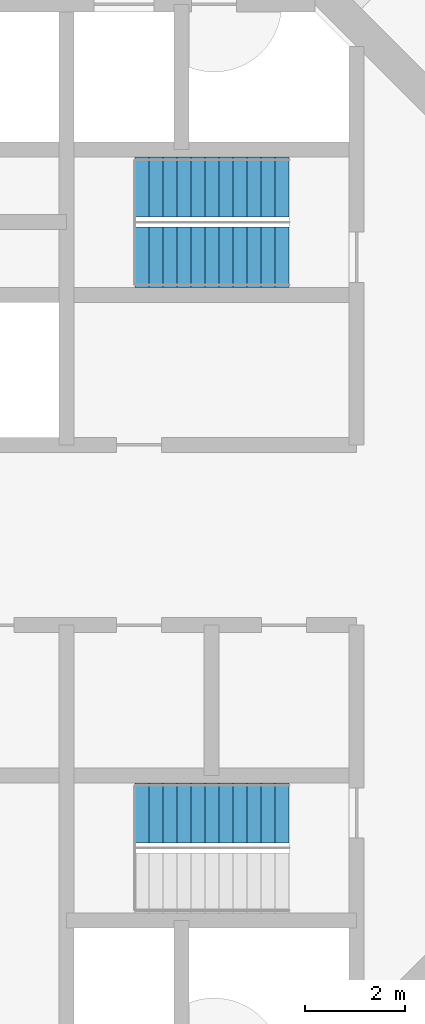
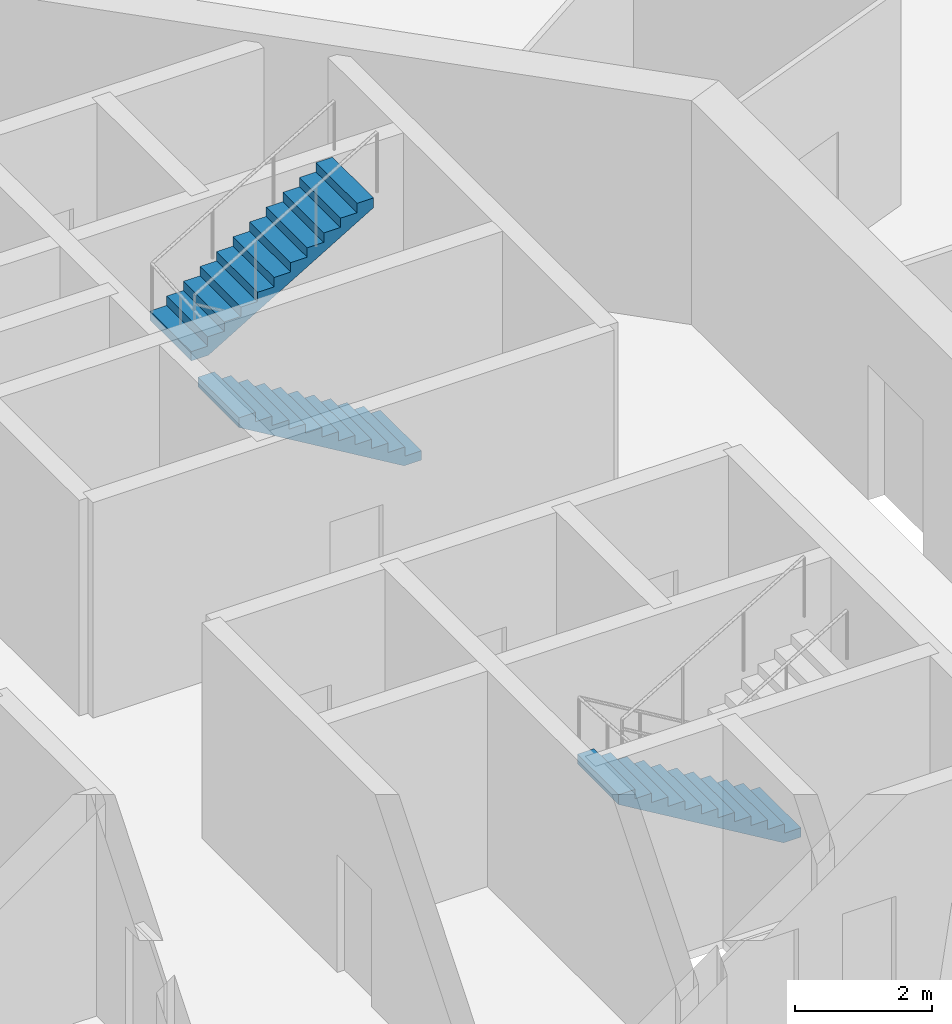
# One storey, part 6 of 13: 3 stair flights, 2 elements without a shape of their own.
"""IFC4 building model written with IfcOpenShell, lengths in metres."""

from ifc_helpers import new_model, si_unit, direction, frame, origin, place, context, subcontext, project, spatial, polyline, outline, extrude, material, type_object, element, aggregate, save


model = new_model("IFC4")

# Units and contexts
model_context = context("Model", 3, precision=1e-05, world=origin(), true_north=direction((0.0, 1.0)))
body_context = subcontext(model_context, "Body", "Model", "MODEL_VIEW")
ifc_project = project(units=[si_unit("LENGTHUNIT", "METRE"), si_unit("AREAUNIT", "SQUARE_METRE"), si_unit("VOLUMEUNIT", "CUBIC_METRE"), si_unit("PLANEANGLEUNIT", "RADIAN"), si_unit("MASSUNIT", "GRAM", prefix="KILO")], contexts=[model_context])

# Site, building, storey
site_placement = place(None, origin())
site = spatial("IfcSite", under=ifc_project, at=site_placement, CompositionType="ELEMENT")
building_placement = place(site_placement, origin())
building = spatial("IfcBuilding", under=site, at=building_placement, Name="Entoto Ring Tower", CompositionType="ELEMENT")
storey_placement = place(building_placement, frame((0.0, 0.0, 380.0)))
storey = spatial("IfcBuildingStorey", under=building, at=storey_placement, Name="L88", CompositionType="ELEMENT", Elevation=380.0)

# Stair, stair flights
ifc_material_1 = material(Name="Concrete C40/50", Category="concrete")
stair_type = type_object("IfcStairType", Name="Exit stair 1200 mm dog-leg reinforced concrete", PredefinedType="HALF_TURN_STAIR", material=ifc_material_1)
stair_1_placement = place(storey_placement, origin())
stair_1 = element("IfcStair", 1, at=stair_1_placement, inside=storey, type_object=stair_type, Name="Exit stair 1", PredefinedType="HALF_TURN_STAIR")
ifc_material_2 = material(Name="Concrete C40/50", Category="concrete")
stair_flight_type = type_object("IfcStairFlightType", Name="Stair flight 1200 mm reinforced concrete", PredefinedType="STRAIGHT", material=ifc_material_2)
stair_flight_1_placement = place(storey_placement, frame((99.25, 85.550048828125, 0.0), z_axis=(0.0, 0.0, 1.0), x_axis=(-1.0, 0.0, 0.0)))
stair_flight_1 = element("IfcStairFlight", 2, at=stair_flight_1_placement, type_object=stair_flight_type, Name="ST1 flight 1", NumberOfRisers=12, NumberOfTreads=11, PredefinedType="STRAIGHT", RiserHeight=0.166666667, TreadLength=0.28, context=body_context, shape_type="SweptSolid", body=[
    extrude(outline(polyline([(0.0, 0.0), (0.0, 0.166748046875), (0.280029296875, 0.166748046875), (0.280029296875, 0.333251953125), (0.56005859375, 0.333251953125), (0.56005859375, 0.5), (0.840087890625, 0.5), (0.840087890625, 0.666748046875), (1.1201171875, 0.666748046875), (1.1201171875, 0.833251953125), (1.39990234375, 0.833251953125), (1.39990234375, 1.0), (1.679931640625, 1.0), (1.679931640625, 1.166748046875), (1.9599609375, 1.166748046875), (1.9599609375, 1.333251953125), (2.239990234375, 1.333251953125), (2.239990234375, 1.5), (2.52001953125, 1.5), (2.52001953125, 1.666748046875), (2.800048828125, 1.666748046875), (2.800048828125, 1.833251953125), (3.080078125, 1.833251953125), (3.080078125, 2.0), (3.080078125, 1.658935546875), (0.29296875, 0.0), (0.0, 0.0)])), frame((0.0, 0.60009765625, 0.0), z_axis=(0.0, -1.0, 0.0), x_axis=(1.0, 0.0, 0.0)), (0.0, 0.0, 1.0), 1.199951171875),
])
stair_flight_2_placement = place(storey_placement, frame((96.169921875, 86.949951171875, 2.0), z_axis=(0.0, 0.0, 1.0), x_axis=(1.0, 0.0, 0.0)))
stair_flight_2 = element("IfcStairFlight", 3, at=stair_flight_2_placement, type_object=stair_flight_type, Name="ST1 flight 2", NumberOfRisers=12, NumberOfTreads=11, PredefinedType="STRAIGHT", RiserHeight=0.166666667, TreadLength=0.28, context=body_context, shape_type="SweptSolid", body=[
    extrude(outline(polyline([(0.0, 0.0), (0.0, 0.166748046875), (0.280029296875, 0.166748046875), (0.280029296875, 0.333251953125), (0.56005859375, 0.333251953125), (0.56005859375, 0.5), (0.840087890625, 0.5), (0.840087890625, 0.666748046875), (1.1201171875, 0.666748046875), (1.1201171875, 0.833251953125), (1.39990234375, 0.833251953125), (1.39990234375, 1.0), (1.679931640625, 1.0), (1.679931640625, 1.166748046875), (1.9599609375, 1.166748046875), (1.9599609375, 1.333251953125), (2.239990234375, 1.333251953125), (2.239990234375, 1.5), (2.52001953125, 1.5), (2.52001953125, 1.666748046875), (2.800048828125, 1.666748046875), (2.800048828125, 1.833251953125), (3.080078125, 1.833251953125), (3.080078125, 2.0), (3.080078125, 1.658935546875), (0.29296875, 0.0), (0.0, 0.0)])), frame((0.0, 0.60009765625, 0.0), z_axis=(0.0, -1.0, 0.0), x_axis=(1.0, 0.0, 0.0)), (0.0, 0.0, 1.0), 1.199951171875),
])
aggregate(stair_1, [stair_flight_1, stair_flight_2])

# Stair, stair flight
stair_2_placement = place(storey_placement, origin())
stair_2 = element("IfcStair", 4, at=stair_2_placement, inside=storey, type_object=stair_type, Name="Exit stair 3", PredefinedType="HALF_TURN_STAIR")
stair_flight_3_placement = place(storey_placement, frame((99.25, 74.449951171875, 0.0), z_axis=(0.0, 0.0, 1.0), x_axis=(-1.0, 0.0, 0.0)))
stair_flight_3 = element("IfcStairFlight", 5, at=stair_flight_3_placement, type_object=stair_flight_type, Name="ST3 flight 1", NumberOfRisers=12, NumberOfTreads=11, PredefinedType="STRAIGHT", RiserHeight=0.166666667, TreadLength=0.28, context=body_context, shape_type="SweptSolid", body=[
    extrude(outline(polyline([(0.0, 0.0), (0.0, 0.166748046875), (0.280029296875, 0.166748046875), (0.280029296875, 0.333251953125), (0.56005859375, 0.333251953125), (0.56005859375, 0.5), (0.840087890625, 0.5), (0.840087890625, 0.666748046875), (1.1201171875, 0.666748046875), (1.1201171875, 0.833251953125), (1.39990234375, 0.833251953125), (1.39990234375, 1.0), (1.679931640625, 1.0), (1.679931640625, 1.166748046875), (1.9599609375, 1.166748046875), (1.9599609375, 1.333251953125), (2.239990234375, 1.333251953125), (2.239990234375, 1.5), (2.52001953125, 1.5), (2.52001953125, 1.666748046875), (2.800048828125, 1.666748046875), (2.800048828125, 1.833251953125), (3.080078125, 1.833251953125), (3.080078125, 2.0), (3.080078125, 1.658935546875), (0.29296875, 0.0), (0.0, 0.0)])), frame((0.0, 0.60009765625, 0.0), z_axis=(0.0, -1.0, 0.0), x_axis=(1.0, 0.0, 0.0)), (0.0, 0.0, 1.0), 1.199951171875),
])
aggregate(stair_2, [stair_flight_3])

save(model, "model.ifc")
